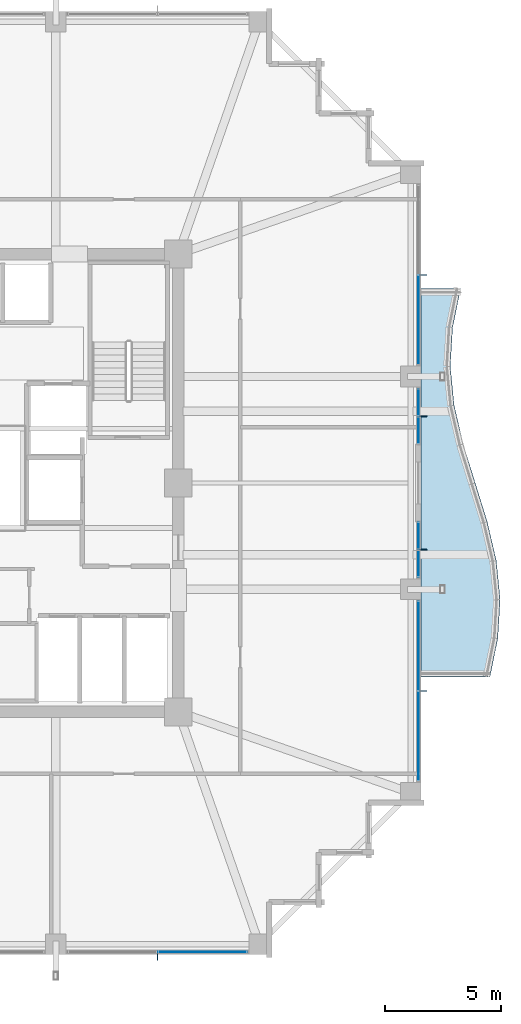
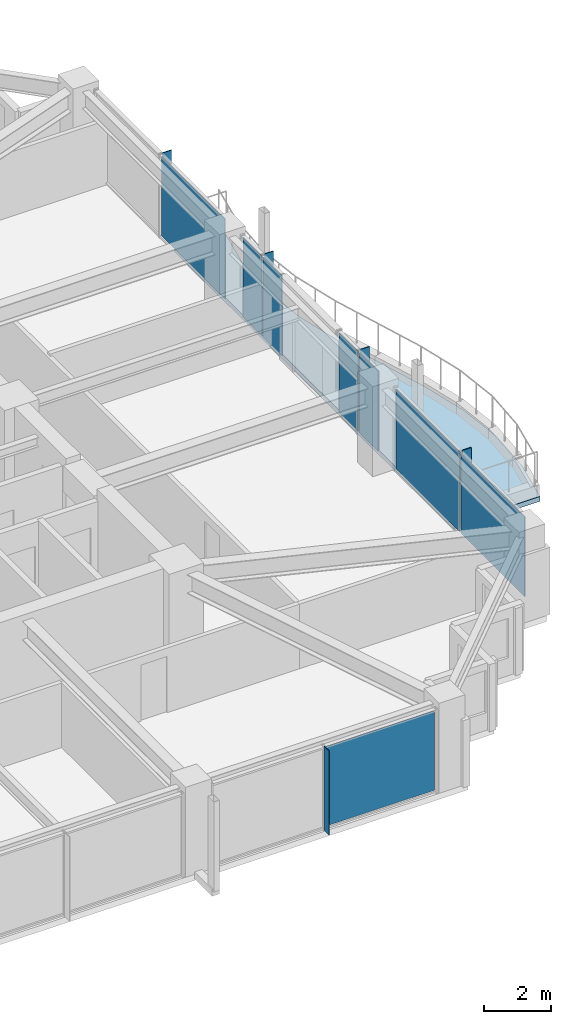
# One storey, part 26 of 35: 13 plates, 1 slab, 5 elements without a shape of their own.
"""IFC4 building model written with IfcOpenShell, lengths in metres."""

from ifc_helpers import new_model, si_unit, direction, frame, origin, origin_2d, place, context, subcontext, project, spatial, polyline, rectangle, outline, extrude, material, layer, layer_set, type_object, element, aggregate, save


model = new_model("IFC4")

# Units and contexts
model_context = context("Model", 3, precision=1e-05, world=origin(), true_north=direction((0.0, 1.0)))
body_context = subcontext(model_context, "Body", "Model", "MODEL_VIEW")
ifc_project = project(units=[si_unit("LENGTHUNIT", "METRE"), si_unit("AREAUNIT", "SQUARE_METRE"), si_unit("VOLUMEUNIT", "CUBIC_METRE"), si_unit("PLANEANGLEUNIT", "RADIAN"), si_unit("MASSUNIT", "GRAM", prefix="KILO")], contexts=[model_context])

# Site, building, storey
site_placement = place(None, origin())
site = spatial("IfcSite", under=ifc_project, at=site_placement, CompositionType="ELEMENT")
building_placement = place(site_placement, origin())
building = spatial("IfcBuilding", under=site, at=building_placement, Name="Kolvaren Belvedere", CompositionType="ELEMENT")
storey_placement = place(building_placement, frame((0.0, 0.0, 183.300048828125)))
storey = spatial("IfcBuildingStorey", under=building, at=storey_placement, Name="L53", CompositionType="ELEMENT", Elevation=183.300048828125)

# Curtain wall, plate
ifc_material_1 = material(Name="Anodised pale-metal aluminium AA 6063-T6", Category="aluminium")
curtain_wall_type = type_object("IfcCurtainWallType", Name="CW-Z5-HIGH", PredefinedType="NOTDEFINED", material=ifc_material_1)
curtain_wall_1_placement = place(storey_placement, origin())
curtain_wall_1 = element("IfcCurtainWall", 1, at=curtain_wall_1_placement, inside=storey, type_object=curtain_wall_type, Name="L53 Unitised Curtain Wall FCW-L53-S-B1", PredefinedType="NOTDEFINED")
ifc_material_2 = material(Name="Low-iron triple insulated glass", Category="glass")
ifc_layer_1 = layer(ifc_material_2, 0.028076171875)
ifc_layer_set_1 = layer_set([ifc_layer_1], Name="Low-iron triple insulated glass")
plate_type_1 = type_object("IfcPlateType", Name="CW-PNL-VIS28", PredefinedType="CURTAIN_PANEL", material=ifc_layer_set_1)
plate_1_placement = place(storey_placement, frame((10.947509765625, -20.280029296875, 0.080078125), z_axis=(0.0, 0.0, 1.0), x_axis=(-1.0, 0.0, 0.0)))
plate_1 = element("IfcPlate", 2, at=plate_1_placement, type_object=plate_type_1, Name="FCW-L53-S-B1 Vision Glazing Panel 1", PredefinedType="CURTAIN_PANEL", context=body_context, shape_type="SweptSolid", body=[
    extrude(rectangle(XDim=3.81494140625, YDim=0.028076171875, at=origin_2d()), origin(), (0.0, 0.0, 1.0), 2.919921875),
])
aggregate(curtain_wall_1, [plate_1])

curtain_wall_2_placement = place(storey_placement, origin())
curtain_wall_2 = element("IfcCurtainWall", 3, at=curtain_wall_2_placement, inside=storey, type_object=curtain_wall_type, Name="L53 Unitised Curtain Wall FCW-L53-E1-B1", PredefinedType="NOTDEFINED")
plate_2_placement = place(storey_placement, frame((20.280029296875, 7.052490234375, 0.080078125), z_axis=(0.0, 0.0, 1.0), x_axis=(0.0, -1.0, 0.0)))
plate_2 = element("IfcPlate", 4, at=plate_2_placement, type_object=plate_type_1, Name="FCW-L53-E1-B1 Vision Glazing Panel 2", PredefinedType="CURTAIN_PANEL", context=body_context, shape_type="SweptSolid", body=[
    extrude(rectangle(XDim=3.81494140625, YDim=0.028076171875, at=origin_2d()), origin(), (0.0, 0.0, 1.0), 2.919921875),
])
aggregate(curtain_wall_2, [plate_2])

# Curtain wall, plates
curtain_wall_3_placement = place(storey_placement, origin())
curtain_wall_3 = element("IfcCurtainWall", 5, at=curtain_wall_3_placement, inside=storey, type_object=curtain_wall_type, Name="L53 Unitised Curtain Wall FCW-L53-E1-B2", PredefinedType="NOTDEFINED")
plate_3_placement = place(storey_placement, frame((20.280029296875, 3.4912109375, 0.080078125), z_axis=(0.0, 0.0, 1.0), x_axis=(0.0, -1.0, 0.0)))
plate_3 = element("IfcPlate", 6, at=plate_3_placement, type_object=plate_type_1, Name="FCW-L53-E1-B2 Vision Glazing Panel 1", PredefinedType="CURTAIN_PANEL", context=body_context, shape_type="SweptSolid", body=[
    extrude(rectangle(XDim=1.12744140625, YDim=0.028076171875, at=origin_2d()), origin(), (0.0, 0.0, 1.0), 2.919921875),
])
plate_4_placement = place(storey_placement, frame((20.280029296875, 2.28369140625, 0.080078125), z_axis=(0.0, 0.0, 1.0), x_axis=(0.0, -1.0, 0.0)))
plate_4 = element("IfcPlate", 7, at=plate_4_placement, type_object=plate_type_1, Name="FCW-L53-E1-B2 Vision Glazing Panel 2", PredefinedType="CURTAIN_PANEL", context=body_context, shape_type="SweptSolid", body=[
    extrude(rectangle(XDim=1.12744140625, YDim=0.028076171875, at=origin_2d()), origin(), (0.0, 0.0, 1.0), 2.919921875),
])
aggregate(curtain_wall_3, [plate_3, plate_4])

curtain_wall_4_placement = place(storey_placement, origin())
curtain_wall_4 = element("IfcCurtainWall", 8, at=curtain_wall_4_placement, inside=storey, type_object=curtain_wall_type, Name="L53 Unitised Curtain Wall FCW-L53-E2-B1", PredefinedType="NOTDEFINED")
plate_5_placement = place(storey_placement, frame((20.280029296875, -2.28369140625, 0.080078125), z_axis=(0.0, 0.0, 1.0), x_axis=(0.0, -1.0, 0.0)))
plate_5 = element("IfcPlate", 9, at=plate_5_placement, type_object=plate_type_1, Name="FCW-L53-E2-B1 Vision Glazing Panel 1", PredefinedType="CURTAIN_PANEL", context=body_context, shape_type="SweptSolid", body=[
    extrude(rectangle(XDim=1.12744140625, YDim=0.028076171875, at=origin_2d()), origin(), (0.0, 0.0, 1.0), 2.919921875),
])
plate_6_placement = place(storey_placement, frame((20.280029296875, -3.4912109375, 0.080078125), z_axis=(0.0, 0.0, 1.0), x_axis=(0.0, -1.0, 0.0)))
plate_6 = element("IfcPlate", 10, at=plate_6_placement, type_object=plate_type_1, Name="FCW-L53-E2-B1 Vision Glazing Panel 2", PredefinedType="CURTAIN_PANEL", context=body_context, shape_type="SweptSolid", body=[
    extrude(rectangle(XDim=1.12744140625, YDim=0.028076171875, at=origin_2d()), origin(), (0.0, 0.0, 1.0), 2.919921875),
])
aggregate(curtain_wall_4, [plate_5, plate_6])

curtain_wall_5_placement = place(storey_placement, origin())
curtain_wall_5 = element("IfcCurtainWall", 11, at=curtain_wall_5_placement, inside=storey, type_object=curtain_wall_type, Name="L53 Unitised Curtain Wall FCW-L53-E2-B2", PredefinedType="NOTDEFINED")
plate_7_placement = place(storey_placement, frame((20.280029296875, -7.052490234375, 0.080078125), z_axis=(0.0, 0.0, 1.0), x_axis=(0.0, -1.0, 0.0)))
plate_7 = element("IfcPlate", 12, at=plate_7_placement, type_object=plate_type_1, Name="FCW-L53-E2-B2 Vision Glazing Panel 1", PredefinedType="CURTAIN_PANEL", context=body_context, shape_type="SweptSolid", body=[
    extrude(rectangle(XDim=3.81494140625, YDim=0.028076171875, at=origin_2d()), origin(), (0.0, 0.0, 1.0), 2.919921875),
])
plate_8_placement = place(storey_placement, frame((20.280029296875, -10.947509765625, 0.080078125), z_axis=(0.0, 0.0, 1.0), x_axis=(0.0, -1.0, 0.0)))
plate_8 = element("IfcPlate", 13, at=plate_8_placement, type_object=plate_type_1, Name="FCW-L53-E2-B2 Vision Glazing Panel 2", PredefinedType="CURTAIN_PANEL", context=body_context, shape_type="SweptSolid", body=[
    extrude(rectangle(XDim=3.81494140625, YDim=0.028076171875, at=origin_2d()), origin(), (0.0, 0.0, 1.0), 2.919921875),
])
aggregate(curtain_wall_5, [plate_7, plate_8])

# Plates
ifc_material_3 = material(Name="Anodised pale-metal aluminium AA 6063-T6", Category="aluminium")
ifc_layer_2 = layer(ifc_material_3, 0.030029296875)
ifc_layer_set_2 = layer_set([ifc_layer_2], Name="Anodised pale-metal aluminium AA 6063-T6")
plate_type_2 = type_object("IfcPlateType", Name="FIN-VERT-300", PredefinedType="USERDEFINED", material=ifc_layer_set_2)
for number, where, z_axis, x_axis, name in (
    (14, (9.0, -20.489990234375, 0.0), (0.0, 0.0, 1.0), (0.0, 1.0, 0.0), "L53 Pale-Metal Vertical Shading Fin FCW-L53-S-B1-1"),
    (15, (20.489990234375, 9.0, 0.0), (0.0, 0.0, 1.0), (1.0, 0.0, 0.0), "L53 Pale-Metal Vertical Shading Fin FCW-L53-E1-B1-1"),
    (16, (20.489990234375, 2.887451171875, 0.0), (0.0, 0.0, 1.0), (1.0, 0.0, 0.0), "L53 Pale-Metal Vertical Shading Fin FCW-L53-E1-B2-1"),
    (17, (20.489990234375, -2.887451171875, 0.0), (0.0, 0.0, 1.0), (1.0, 0.0, 0.0), "L53 Pale-Metal Vertical Shading Fin FCW-L53-E2-B1-1"),
    (18, (20.489990234375, -9.0, 0.0), (0.0, 0.0, 1.0), (1.0, 0.0, 0.0), "L53 Pale-Metal Vertical Shading Fin FCW-L53-E2-B2-1"),
):
    element("IfcPlate", number, at=place(storey_placement, frame(where, z_axis=z_axis, x_axis=x_axis)), inside=storey, type_object=plate_type_2, Name=name, ObjectType="VERTICAL FIN", PredefinedType="USERDEFINED", context=body_context, shape_type="SweptSolid", body=[
        extrude(rectangle(XDim=0.300048828125, YDim=0.030029296875, at=origin_2d()), origin(), (0.0, 0.0, 1.0), 3.080078125),
    ])

# Slab
ifc_material_4 = material(Name="Concrete C50/60", Category="concrete")
ifc_layer_3 = layer(ifc_material_4, 0.179931640625)
ifc_layer_set_3 = layer_set([ifc_layer_3], Name="Concrete C50/60")
slab_type = type_object("IfcSlabType", Name="SL-BAL-180", PredefinedType="FLOOR", material=ifc_layer_set_3)
slab_placement = place(storey_placement, frame((0.0, 0.0, -0.219970703125)))
element("IfcSlab", 19, at=slab_placement, inside=storey, type_object=slab_type, Name="L53 Planted Balcony BAL-E", PredefinedType="FLOOR", context=body_context, shape_type="SweptSolid", body=[
    extrude(outline(polyline([(23.374755859375, -8.39990234375), (23.71728515625, -6.719970703125), (23.820068359375, -5.0400390625), (23.65185546875, -3.360107421875), (23.26025390625, -1.679931640625), (22.739990234375, 0.0), (22.2197265625, 1.679931640625), (21.828125, 3.360107421875), (21.662109375, 5.0400390625), (21.7626953125, 6.719970703125), (22.105224609375, 8.39990234375), (20.39990234375, 8.39990234375), (20.39990234375, 6.719970703125), (20.39990234375, 5.0400390625), (20.39990234375, 3.360107421875), (20.39990234375, 1.679931640625), (20.39990234375, 0.0), (20.39990234375, -1.679931640625), (20.39990234375, -3.360107421875), (20.39990234375, -5.0400390625), (20.39990234375, -6.719970703125), (20.39990234375, -8.39990234375), (23.374755859375, -8.39990234375)])), origin(), (0.0, 0.0, 1.0), 0.179931640625),
])

save(model, "model.ifc")
